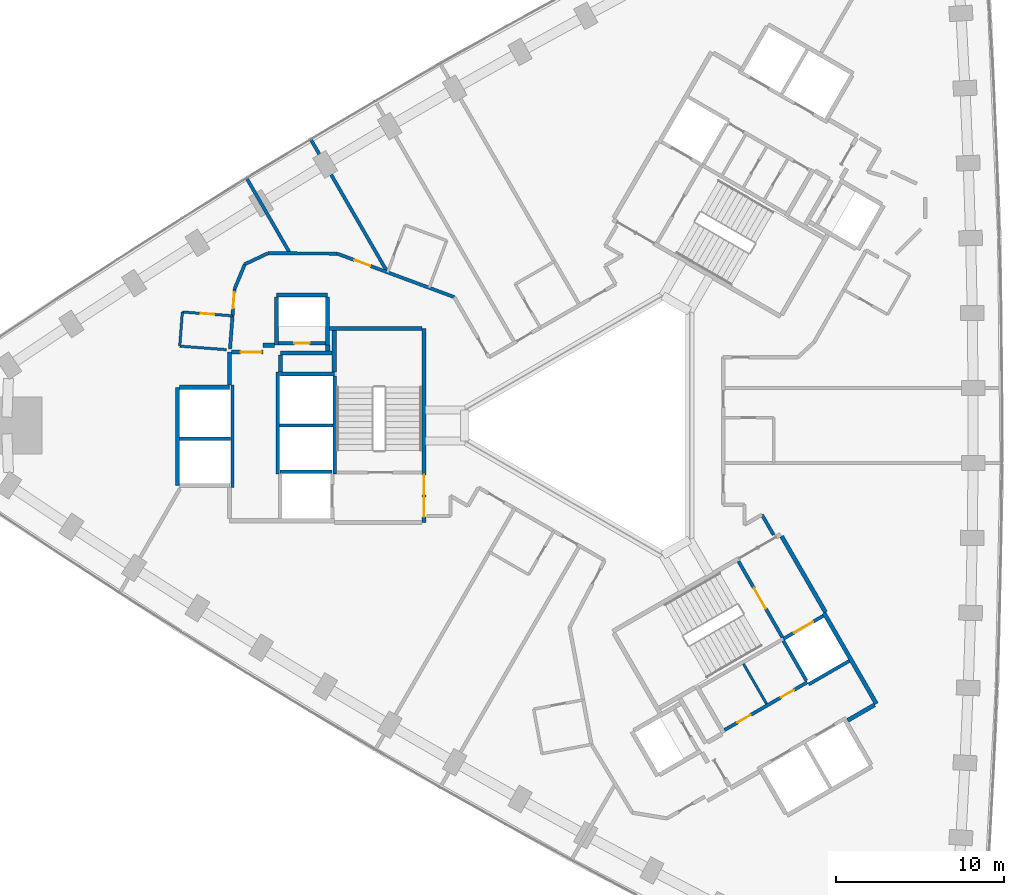
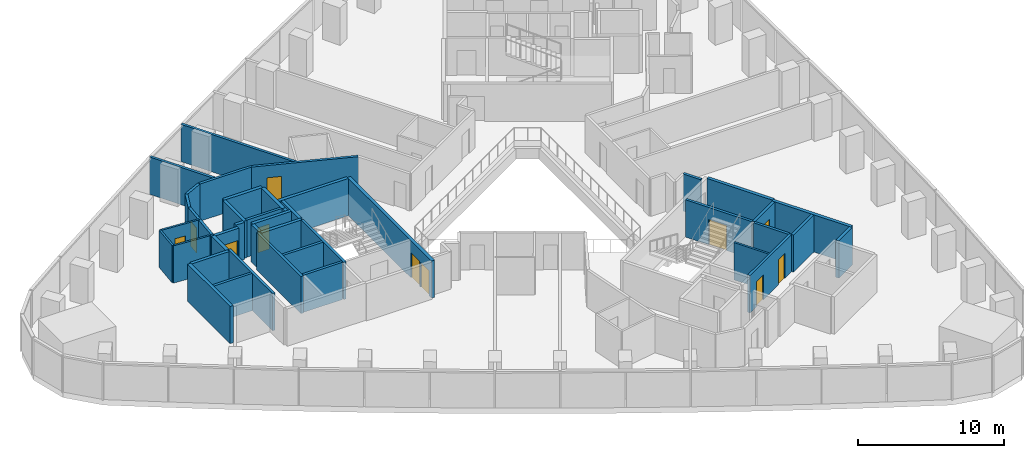
# One storey, part 9 of 13: 42 walls, 11 doors, 11 openings.
"""IFC4 building model written with IfcOpenShell, lengths in metres."""

from ifc_helpers import new_model, si_unit, direction, frame, frame_2d, origin, place, context, subcontext, project, spatial, rectangle, extrude, material, layer, layer_set, type_object, element, fill, save


model = new_model("IFC4")

# Units and contexts
model_context = context("Model", 3, precision=1e-05, world=origin(), true_north=direction((0.0, 1.0)))
body_context = subcontext(model_context, "Body", "Model", "MODEL_VIEW")
ifc_project = project(units=[si_unit("LENGTHUNIT", "METRE"), si_unit("AREAUNIT", "SQUARE_METRE"), si_unit("VOLUMEUNIT", "CUBIC_METRE"), si_unit("PLANEANGLEUNIT", "RADIAN"), si_unit("MASSUNIT", "GRAM", prefix="KILO")], contexts=[model_context])

# Site, building, storey
site_placement = place(None, origin())
site = spatial("IfcSite", under=ifc_project, at=site_placement, CompositionType="ELEMENT")
building_placement = place(site_placement, origin())
building = spatial("IfcBuilding", under=site, at=building_placement, Name="Tamra Quay Hotel Tower", CompositionType="ELEMENT")
storey_placement = place(building_placement, frame((0.0, 0.0, 38.60009765625)))
storey = spatial("IfcBuildingStorey", under=building, at=storey_placement, Name="L07", CompositionType="ELEMENT", Elevation=38.60009765625)

# Walls
ifc_material_1 = material(Name="Concrete M70", Category="concrete")
ifc_layer_1 = layer(ifc_material_1, 0.199951171875)
ifc_layer_set_1 = layer_set([ifc_layer_1], Name="Concrete M70 core wall 200")
wall_type_1 = type_object("IfcWallType", Name="Concrete M70 core wall 200", PredefinedType="SHEAR", material=ifc_layer_set_1)
wall_1_placement = place(storey_placement, frame((-16.162109375, 2.95068359375, 0.0), z_axis=(0.0, 0.0, 1.0), x_axis=(0.0, -1.0, 0.0)))
element("IfcWall", 1, at=wall_1_placement, inside=storey, type_object=wall_type_1, Name="CW2", PredefinedType="SHEAR", context=body_context, shape_type="SweptSolid", body=[
    extrude(rectangle(XDim=5.850830078125, YDim=0.199951171875, at=frame_2d((2.92529296875, 0.0))), origin(), (0.0, 0.0, 1.0), 3.125),
])
for number, where, z_axis, x_axis, name in (
    (2, (-19.5625, -2.900146484375, 0.0), (0.0, 0.0, 1.0), (0.0, 1.0, 0.0), "CW2"),
    (3, (-22.26220703125, 2.400146484375, 0.0), (0.0, 0.0, 1.0), (0.0, -1.0, 0.0), "CW2"),
):
    element("IfcWall", number, at=place(storey_placement, frame(where, z_axis=z_axis, x_axis=x_axis)), inside=storey, type_object=wall_type_1, Name=name, PredefinedType="SHEAR", context=body_context, shape_type="SweptSolid", body=[
        extrude(rectangle(XDim=6.100341796875, YDim=0.199951171875, at=frame_2d((3.05029296875, 0.0))), origin(), (0.0, 0.0, 1.0), 3.125),
    ])
wall_2_placement = place(storey_placement, frame((-16.26318359375, 0.0, 0.0), z_axis=(0.0, 0.0, 1.0), x_axis=(-1.0, 0.0, 0.0)))
element("IfcWall", 4, at=wall_2_placement, inside=storey, type_object=wall_type_1, Name="CW2", PredefinedType="SHEAR", context=body_context, shape_type="SweptSolid", body=[
    extrude(rectangle(XDim=3.1982421875, YDim=0.199951171875, at=frame_2d((1.59912109375, 0.0))), origin(), (0.0, 0.0, 1.0), 3.125),
])
wall_3_placement = place(storey_placement, frame((-22.36328125, -0.800048828125, 0.0), z_axis=(0.0, 0.0, 1.0), x_axis=(-1.0, 0.0, 0.0)))
element("IfcWall", 5, at=wall_3_placement, inside=storey, type_object=wall_type_1, Name="CW2", PredefinedType="SHEAR", context=body_context, shape_type="SweptSolid", body=[
    extrude(rectangle(XDim=3.048095703125, YDim=0.199951171875, at=frame_2d((1.52392578125, 0.0))), origin(), (0.0, 0.0, 1.0), 3.125),
])

# Wall, opening, door
wall_4_placement = place(storey_placement, frame((-19.51123046875, 4.91015625, 0.0), z_axis=(0.0, 0.0, 1.0), x_axis=(1.0, 0.0, 0.0)))
wall_4 = element("IfcWall", 6, at=wall_4_placement, inside=storey, type_object=wall_type_1, Name="CW2", PredefinedType="SHEAR", context=body_context, shape_type="SweptSolid", body=[
    extrude(rectangle(XDim=2.7978515625, YDim=0.199951171875, at=frame_2d((1.39892578125, 0.0))), origin(), (0.0, 0.0, 1.0), 3.125),
])
opening_1_placement = place(wall_4_placement, frame((0.948974609375, 0.0, 0.0)))
opening_1 = element("IfcOpeningElement", 7, at=opening_1_placement, cuts=wall_4, Name="Opening D1", PredefinedType="OPENING", context=body_context, shape_type="SweptSolid", body=[
    extrude(rectangle(XDim=0.89990234375, YDim=2.10009765625, at=frame_2d((0.449951171875, 1.050048828125))), frame((0.0, 0.10986328125, 0.0), z_axis=(0.0, -1.0, 0.0), x_axis=(1.0, 0.0, 0.0)), (0.0, 0.0, 1.0), 0.219970703125),
])
ifc_material_2 = material(Name="Core door D1 900x2100 LH")
door_type_1 = type_object("IfcDoorType", Name="Core door D1 900x2100 LH", OperationType="NOTDEFINED", PredefinedType="DOOR", material=ifc_material_2)
door_1_placement = place(opening_1_placement, origin())
door_1 = element("IfcDoor", 8, at=door_1_placement, inside=storey, type_object=door_type_1, Name="D1", OperationType="SINGLE_SWING_LEFT", OverallHeight=2.10009765625, OverallWidth=0.89990234375, PredefinedType="DOOR", context=body_context, shape_type="SweptSolid", body=[
    extrude(rectangle(XDim=0.89990234375, YDim=2.10009765625, at=frame_2d((0.449951171875, 1.050048828125))), frame((0.0, 0.02490234375, 0.0), z_axis=(0.0, -1.0, 0.0), x_axis=(1.0, 0.0, 0.0)), (0.0, 0.0, 1.0), 0.050048828125),
])
fill(opening_1, door_1)

# Wall
wall_5_placement = place(storey_placement, frame((-19.412353515625, -2.75, 0.0), z_axis=(0.0, 0.0, 1.0), x_axis=(1.0, 0.0, 0.0)))
element("IfcWall", 9, at=wall_5_placement, inside=storey, type_object=wall_type_1, Name="CW2", PredefinedType="SHEAR", context=body_context, shape_type="SweptSolid", body=[
    extrude(rectangle(XDim=3.10009765625, YDim=0.199951171875, at=frame_2d((1.550048828125, 0.0))), origin(), (0.0, 0.0, 1.0), 3.125),
])

# Wall, openings, doors
wall_6_placement = place(storey_placement, frame((7.0771484375, -18.156005859375, 0.0), z_axis=(0.0, 0.0, 1.0), x_axis=(0.866038630372, 0.499977090179, 0.0)))
wall_6 = element("IfcWall", 10, at=wall_6_placement, inside=storey, type_object=wall_type_1, Name="CW2", PredefinedType="SHEAR", context=body_context, shape_type="SweptSolid", body=[
    extrude(rectangle(XDim=5.698974609375, YDim=0.199951171875, at=frame_2d((2.849609375, 0.0))), origin(), (0.0, 0.0, 1.0), 3.125),
])
opening_2_placement = place(wall_6_placement, frame((0.89892578125, 0.0, 0.0)))
opening_2 = element("IfcOpeningElement", 11, at=opening_2_placement, cuts=wall_6, Name="Opening D2", PredefinedType="OPENING", context=body_context, shape_type="SweptSolid", body=[
    extrude(rectangle(XDim=0.89990234375, YDim=2.10009765625, at=frame_2d((0.449951171875, 1.050048828125))), frame((0.0, 0.10986328125, 0.0), z_axis=(0.0, -1.0, 0.0), x_axis=(1.0, 0.0, 0.0)), (0.0, 0.0, 1.0), 0.219970703125),
])
opening_3_placement = place(wall_6_placement, frame((3.8740234375, 0.0, 0.0)))
opening_3 = element("IfcOpeningElement", 12, at=opening_3_placement, cuts=wall_6, Name="Opening D2", PredefinedType="OPENING", context=body_context, shape_type="SweptSolid", body=[
    extrude(rectangle(XDim=0.89990234375, YDim=2.10009765625, at=frame_2d((0.449951171875, 1.050048828125))), frame((0.0, 0.10986328125, 0.0), z_axis=(0.0, -1.0, 0.0), x_axis=(1.0, 0.0, 0.0)), (0.0, 0.0, 1.0), 0.219970703125),
])
ifc_material_3 = material(Name="Core door D2 900x2100 LH")
door_type_2 = type_object("IfcDoorType", Name="Core door D2 900x2100 LH", OperationType="NOTDEFINED", PredefinedType="DOOR", material=ifc_material_3)
door_2_placement = place(opening_3_placement, origin())
door_2 = element("IfcDoor", 13, at=door_2_placement, inside=storey, type_object=door_type_2, Name="D2", OperationType="SINGLE_SWING_LEFT", OverallHeight=2.10009765625, OverallWidth=0.89990234375, PredefinedType="DOOR", context=body_context, shape_type="SweptSolid", body=[
    extrude(rectangle(XDim=0.89990234375, YDim=2.10009765625, at=frame_2d((0.449951171875, 1.050048828125))), frame((0.0, 0.02490234375, 0.0), z_axis=(0.0, -1.0, 0.0), x_axis=(1.0, 0.0, 0.0)), (0.0, 0.0, 1.0), 0.050048828125),
])
fill(opening_3, door_2)
ifc_material_4 = material(Name="Core door D2 900x2100 RH")
door_type_3 = type_object("IfcDoorType", Name="Core door D2 900x2100 RH", OperationType="NOTDEFINED", PredefinedType="DOOR", material=ifc_material_4)
door_3_placement = place(opening_2_placement, origin())
door_3 = element("IfcDoor", 14, at=door_3_placement, inside=storey, type_object=door_type_3, Name="D2", OperationType="SINGLE_SWING_RIGHT", OverallHeight=2.10009765625, OverallWidth=0.89990234375, PredefinedType="DOOR", context=body_context, shape_type="SweptSolid", body=[
    extrude(rectangle(XDim=0.89990234375, YDim=2.10009765625, at=frame_2d((0.449951171875, 1.050048828125))), frame((0.0, 0.02490234375, 0.0), z_axis=(0.0, -1.0, 0.0), x_axis=(1.0, 0.0, 0.0)), (0.0, 0.0, 1.0), 0.050048828125),
])
fill(opening_2, door_3)

# Wall, opening, door
wall_7_placement = place(storey_placement, frame((7.906494140625, -8.094482421875, 0.0), z_axis=(0.0, 0.0, 1.0), x_axis=(0.500024287448, -0.866011380966, 0.0)))
wall_7 = element("IfcWall", 15, at=wall_7_placement, inside=storey, type_object=wall_type_1, Name="CW2", PredefinedType="SHEAR", context=body_context, shape_type="SweptSolid", body=[
    extrude(rectangle(XDim=5.251220703125, YDim=0.199951171875, at=frame_2d((2.62548828125, 0.0))), origin(), (0.0, 0.0, 1.0), 3.125),
])
opening_4_placement = place(wall_7_placement, frame((1.84912109375, 0.0, 0.0)))
opening_4 = element("IfcOpeningElement", 16, at=opening_4_placement, cuts=wall_7, Name="Opening FD2", PredefinedType="OPENING", context=body_context, shape_type="SweptSolid", body=[
    extrude(rectangle(XDim=1.39990234375, YDim=2.10009765625, at=frame_2d((0.699951171875, 1.050048828125))), frame((0.0, 0.10986328125, 0.0), z_axis=(0.0, -1.0, 0.0), x_axis=(1.0, 0.0, 0.0)), (0.0, 0.0, 1.0), 0.219970703125),
])
ifc_material_5 = material(Name="Core door FD2 1400x2100 LH")
door_type_4 = type_object("IfcDoorType", Name="Core door FD2 1400x2100 LH", OperationType="NOTDEFINED", PredefinedType="DOOR", material=ifc_material_5)
door_4_placement = place(opening_4_placement, origin())
door_4 = element("IfcDoor", 17, at=door_4_placement, inside=storey, type_object=door_type_4, Name="FD2", OperationType="SINGLE_SWING_LEFT", OverallHeight=2.10009765625, OverallWidth=1.39990234375, PredefinedType="DOOR", context=body_context, shape_type="SweptSolid", body=[
    extrude(rectangle(XDim=1.39990234375, YDim=2.10009765625, at=frame_2d((0.699951171875, 1.050048828125))), frame((0.0, 0.02490234375, 0.0), z_axis=(0.0, -1.0, 0.0), x_axis=(1.0, 0.0, 0.0)), (0.0, 0.0, 1.0), 0.050048828125),
])
fill(opening_4, door_4)

# Wall
wall_8_placement = place(storey_placement, frame((11.962646484375, -15.219970703125, 0.0), z_axis=(0.0, 0.0, 1.0), x_axis=(-0.500034990121, 0.866005201286, 0.0)))
element("IfcWall", 18, at=wall_8_placement, inside=storey, type_object=wall_type_1, Name="CW2", PredefinedType="SHEAR", context=body_context, shape_type="SweptSolid", body=[
    extrude(rectangle(XDim=2.749755859375, YDim=0.199951171875, at=frame_2d((1.375, 0.0))), origin(), (0.0, 0.0, 1.0), 3.125),
])

# Wall, opening, door
wall_9_placement = place(storey_placement, frame((10.587158203125, -12.72314453125, 0.0), z_axis=(0.0, 0.0, 1.0), x_axis=(0.866037306777, 0.499979382845, 0.0)))
wall_9 = element("IfcWall", 19, at=wall_9_placement, inside=storey, type_object=wall_type_1, Name="CW2", PredefinedType="SHEAR", context=body_context, shape_type="SweptSolid", body=[
    extrude(rectangle(XDim=2.74169921875, YDim=0.199951171875, at=frame_2d((1.370849609375, 0.0))), origin(), (0.0, 0.0, 1.0), 3.125),
])
opening_5_placement = place(wall_9_placement, frame((0.742919921875, 0.0, 0.0)))
opening_5 = element("IfcOpeningElement", 20, at=opening_5_placement, cuts=wall_9, Name="Opening LD", PredefinedType="OPENING", context=body_context, shape_type="SweptSolid", body=[
    extrude(rectangle(XDim=1.300048828125, YDim=2.10009765625, at=frame_2d((0.64990234375, 1.050048828125))), frame((0.0, 0.10986328125, 0.0), z_axis=(0.0, -1.0, 0.0), x_axis=(1.0, 0.0, 0.0)), (0.0, 0.0, 1.0), 0.219970703125),
])
ifc_material_6 = material(Name="Landing door LD 1300 sliding to left")
door_type_5 = type_object("IfcDoorType", Name="Landing door LD 1300 sliding to left", OperationType="NOTDEFINED", PredefinedType="DOOR", material=ifc_material_6)
door_5_placement = place(opening_5_placement, origin())
door_5 = element("IfcDoor", 21, at=door_5_placement, inside=storey, type_object=door_type_5, Name="LD", OperationType="SLIDING_TO_LEFT", OverallHeight=2.10009765625, OverallWidth=1.300048828125, PredefinedType="DOOR", context=body_context, shape_type="SweptSolid", body=[
    extrude(rectangle(XDim=1.300048828125, YDim=2.10009765625, at=frame_2d((0.64990234375, 1.050048828125))), frame((0.0, 0.02490234375, 0.0), z_axis=(0.0, -1.0, 0.0), x_axis=(1.0, 0.0, 0.0)), (0.0, 0.0, 1.0), 0.050048828125),
])
fill(opening_5, door_5)

# Wall
wall_10_placement = place(storey_placement, frame((14.51171875, -14.037109375, 0.0), z_axis=(0.0, 0.0, 1.0), x_axis=(-0.866044696403, -0.499966582715, 0.0)))
element("IfcWall", 22, at=wall_10_placement, inside=storey, type_object=wall_type_1, Name="CW2", PredefinedType="SHEAR", context=body_context, shape_type="SweptSolid", body=[
    extrude(rectangle(XDim=2.799072265625, YDim=0.199951171875, at=frame_2d((1.3994140625, 0.0))), origin(), (0.0, 0.0, 1.0), 3.125),
])

# Wall, openings, doors
ifc_layer_2 = layer(ifc_material_1, 0.25)
ifc_layer_set_2 = layer_set([ifc_layer_2], Name="Concrete M70 core wall 250")
wall_type_2 = type_object("IfcWallType", Name="Concrete M70 core wall 250", PredefinedType="SHEAR", material=ifc_layer_set_2)
wall_11_placement = place(storey_placement, frame((-10.83740234375, 5.77490234375, 0.0), z_axis=(0.0, 0.0, 1.0), x_axis=(0.0, -1.0, 0.0)))
wall_11 = element("IfcWall", 23, at=wall_11_placement, inside=storey, type_object=wall_type_2, Name="CW1", PredefinedType="SHEAR", context=body_context, shape_type="SweptSolid", body=[
    extrude(rectangle(XDim=11.5498046875, YDim=0.25, at=frame_2d((5.77490234375, 0.0))), origin(), (0.0, 0.0, 1.0), 3.125),
])
opening_6_placement = place(wall_11_placement, frame((10.02490234375, 0.0, 0.0)))
opening_6 = element("IfcOpeningElement", 24, at=opening_6_placement, cuts=wall_11, Name="Opening FD1", PredefinedType="OPENING", context=body_context, shape_type="SweptSolid", body=[
    extrude(rectangle(XDim=1.199951171875, YDim=2.10009765625, at=frame_2d((0.60009765625, 1.050048828125))), frame((0.0, 0.135009765625, 0.0), z_axis=(0.0, -1.0, 0.0), x_axis=(1.0, 0.0, 0.0)), (0.0, 0.0, 1.0), 0.27001953125),
])
opening_7_placement = place(wall_11_placement, frame((8.72509765625, 0.0, 0.0)))
opening_7 = element("IfcOpeningElement", 25, at=opening_7_placement, cuts=wall_11, Name="Opening FD1", PredefinedType="OPENING", context=body_context, shape_type="SweptSolid", body=[
    extrude(rectangle(XDim=1.199951171875, YDim=2.10009765625, at=frame_2d((0.60009765625, 1.050048828125))), frame((0.0, 0.135009765625, 0.0), z_axis=(0.0, -1.0, 0.0), x_axis=(1.0, 0.0, 0.0)), (0.0, 0.0, 1.0), 0.27001953125),
])
ifc_material_7 = material(Name="Core door FD1 1200x2100 LH")
door_type_6 = type_object("IfcDoorType", Name="Core door FD1 1200x2100 LH", OperationType="NOTDEFINED", PredefinedType="DOOR", material=ifc_material_7)
door_6_placement = place(opening_6_placement, origin())
door_6 = element("IfcDoor", 26, at=door_6_placement, inside=storey, type_object=door_type_6, Name="FD1", OperationType="SINGLE_SWING_LEFT", OverallHeight=2.10009765625, OverallWidth=1.199951171875, PredefinedType="DOOR", context=body_context, shape_type="SweptSolid", body=[
    extrude(rectangle(XDim=1.199951171875, YDim=2.10009765625, at=frame_2d((0.60009765625, 1.050048828125))), frame((0.0, 0.02490234375, 0.0), z_axis=(0.0, -1.0, 0.0), x_axis=(1.0, 0.0, 0.0)), (0.0, 0.0, 1.0), 0.050048828125),
])
fill(opening_6, door_6)
ifc_material_8 = material(Name="Core door FD1 1200x2100 RH")
door_type_7 = type_object("IfcDoorType", Name="Core door FD1 1200x2100 RH", OperationType="NOTDEFINED", PredefinedType="DOOR", material=ifc_material_8)
door_7_placement = place(opening_7_placement, origin())
door_7 = element("IfcDoor", 27, at=door_7_placement, inside=storey, type_object=door_type_7, Name="FD1", OperationType="SINGLE_SWING_RIGHT", OverallHeight=2.10009765625, OverallWidth=1.199951171875, PredefinedType="DOOR", context=body_context, shape_type="SweptSolid", body=[
    extrude(rectangle(XDim=1.199951171875, YDim=2.10009765625, at=frame_2d((0.60009765625, 1.050048828125))), frame((0.0, 0.02490234375, 0.0), z_axis=(0.0, -1.0, 0.0), x_axis=(1.0, 0.0, 0.0)), (0.0, 0.0, 1.0), 0.050048828125),
])
fill(opening_7, door_7)

# Walls
wall_12_placement = place(storey_placement, frame((-25.537353515625, -3.574951171875, 0.0), z_axis=(0.0, 0.0, 1.0), x_axis=(0.0, 1.0, 0.0)))
element("IfcWall", 28, at=wall_12_placement, inside=storey, type_object=wall_type_2, Name="CW1", PredefinedType="SHEAR", context=body_context, shape_type="SweptSolid", body=[
    extrude(rectangle(XDim=5.849853515625, YDim=0.25, at=frame_2d((2.9248046875, 0.0))), origin(), (0.0, 0.0, 1.0), 3.125),
])
wall_13_placement = place(storey_placement, frame((-16.47216796875, 5.77490234375, 0.0), z_axis=(0.0, 0.0, 1.0), x_axis=(1.0, 0.0, 0.0)))
element("IfcWall", 29, at=wall_13_placement, inside=storey, type_object=wall_type_2, Name="CW1", PredefinedType="SHEAR", context=body_context, shape_type="SweptSolid", body=[
    extrude(rectangle(XDim=5.509521484375, YDim=0.25, at=frame_2d((2.7548828125, 0.0))), origin(), (0.0, 0.0, 1.0), 3.125),
])
wall_14_placement = place(storey_placement, frame((-19.38720703125, 3.074951171875, 0.0), z_axis=(0.0, 0.0, 1.0), x_axis=(1.0, 0.0, 0.0)))
element("IfcWall", 30, at=wall_14_placement, inside=storey, type_object=wall_type_2, Name="CW1", PredefinedType="SHEAR", context=body_context, shape_type="SweptSolid", body=[
    extrude(rectangle(XDim=3.199951171875, YDim=0.25, at=frame_2d((1.60009765625, 0.0))), origin(), (0.0, 0.0, 1.0), 3.125),
])
wall_15_placement = place(storey_placement, frame((-25.411865234375, 2.27490234375, 0.0), z_axis=(0.0, 0.0, 1.0), x_axis=(1.0, 0.0, 0.0)))
element("IfcWall", 31, at=wall_15_placement, inside=storey, type_object=wall_type_2, Name="CW1", PredefinedType="SHEAR", context=body_context, shape_type="SweptSolid", body=[
    extrude(rectangle(XDim=2.974609375, YDim=0.25, at=frame_2d((1.4873046875, 0.0))), origin(), (0.0, 0.0, 1.0), 3.125),
])
wall_16_placement = place(storey_placement, frame((-19.63720703125, 7.77490234375, 0.0), z_axis=(0.0, 0.0, 1.0), x_axis=(1.0, 0.0, 0.0)))
element("IfcWall", 32, at=wall_16_placement, inside=storey, type_object=wall_type_2, Name="CW1", PredefinedType="SHEAR", context=body_context, shape_type="SweptSolid", body=[
    extrude(rectangle(XDim=3.0498046875, YDim=0.25, at=frame_2d((1.52490234375, 0.0))), origin(), (0.0, 0.0, 1.0), 3.125),
])
for number, where, z_axis, x_axis, name in (
    (33, (-16.58740234375, 7.649658203125, 0.0), (0.0, 0.0, 1.0), (0.0, -1.0, 0.0), "CW1"),
    (34, (-19.63720703125, 4.784912109375, 0.0), (0.0, 0.0, 1.0), (0.0, 1.0, 0.0), "CW1"),
):
    element("IfcWall", number, at=place(storey_placement, frame(where, z_axis=z_axis, x_axis=x_axis)), inside=storey, type_object=wall_type_2, Name=name, PredefinedType="SHEAR", context=body_context, shape_type="SweptSolid", body=[
        extrude(rectangle(XDim=2.86474609375, YDim=0.25, at=frame_2d((1.432373046875, 0.0))), origin(), (0.0, 0.0, 1.0), 3.125),
    ])
wall_17_placement = place(storey_placement, frame((-16.30224609375, 4.31494140625, 0.0), z_axis=(0.0, 0.0, 1.0), x_axis=(-1.0, 0.0, 0.0)))
element("IfcWall", 35, at=wall_17_placement, inside=storey, type_object=wall_type_2, Name="CW1", PredefinedType="SHEAR", context=body_context, shape_type="SweptSolid", body=[
    extrude(rectangle(XDim=3.0849609375, YDim=0.25, at=frame_2d((1.54248046875, 0.0))), origin(), (0.0, 0.0, 1.0), 3.125),
])
wall_18_placement = place(storey_placement, frame((-16.187255859375, 3.200439453125, 0.0), z_axis=(0.0, 0.0, 1.0), x_axis=(0.0, 1.0, 0.0)))
element("IfcWall", 36, at=wall_18_placement, inside=storey, type_object=wall_type_2, Name="CW1", PredefinedType="SHEAR", context=body_context, shape_type="SweptSolid", body=[
    extrude(rectangle(XDim=2.44921875, YDim=0.25, at=frame_2d((1.224609375, 0.0))), origin(), (0.0, 0.0, 1.0), 3.125),
])
wall_19_placement = place(storey_placement, frame((-22.437255859375, 2.400390625, 0.0), z_axis=(0.0, 0.0, 1.0), x_axis=(0.0, 1.0, 0.0)))
element("IfcWall", 37, at=wall_19_placement, inside=storey, type_object=wall_type_2, Name="CW1", PredefinedType="SHEAR", context=body_context, shape_type="SweptSolid", body=[
    extrude(rectangle(XDim=1.974609375, YDim=0.25, at=frame_2d((0.9873046875, 0.0))), origin(), (0.0, 0.0, 1.0), 3.125),
])

# Wall, opening, door
wall_20_placement = place(storey_placement, frame((-22.311767578125, 4.375, 0.0), z_axis=(0.0, 0.0, 1.0), x_axis=(1.0, 0.0, 0.0)))
wall_20 = element("IfcWall", 38, at=wall_20_placement, inside=storey, type_object=wall_type_2, Name="CW1", PredefinedType="SHEAR", context=body_context, shape_type="SweptSolid", body=[
    extrude(rectangle(XDim=1.864501953125, YDim=0.25, at=frame_2d((0.93212890625, 0.0))), origin(), (0.0, 0.0, 1.0), 3.125),
])
opening_8_placement = place(wall_20_placement, frame((0.53466796875, 0.0, 0.0)))
opening_8 = element("IfcOpeningElement", 39, at=opening_8_placement, cuts=wall_20, Name="Opening FD3", PredefinedType="OPENING", context=body_context, shape_type="SweptSolid", body=[
    extrude(rectangle(XDim=1.25, YDim=2.10009765625, at=frame_2d((0.625, 1.050048828125))), frame((0.0, 0.135009765625, 0.0), z_axis=(0.0, -1.0, 0.0), x_axis=(1.0, 0.0, 0.0)), (0.0, 0.0, 1.0), 0.27001953125),
])
ifc_material_9 = material(Name="Core door FD3 1250x2100 LH")
door_type_8 = type_object("IfcDoorType", Name="Core door FD3 1250x2100 LH", OperationType="NOTDEFINED", PredefinedType="DOOR", material=ifc_material_9)
door_8_placement = place(opening_8_placement, origin())
door_8 = element("IfcDoor", 40, at=door_8_placement, inside=storey, type_object=door_type_8, Name="FD3", OperationType="SINGLE_SWING_LEFT", OverallHeight=2.10009765625, OverallWidth=1.25, PredefinedType="DOOR", context=body_context, shape_type="SweptSolid", body=[
    extrude(rectangle(XDim=1.25, YDim=2.10009765625, at=frame_2d((0.625, 1.050048828125))), frame((0.0, 0.02490234375, 0.0), z_axis=(0.0, -1.0, 0.0), x_axis=(1.0, 0.0, 0.0)), (0.0, 0.0, 1.0), 0.050048828125),
])
fill(opening_8, door_8)

# Walls
wall_21_placement = place(storey_placement, frame((-19.38720703125, 4.189697265625, 0.0), z_axis=(0.0, 0.0, 1.0), x_axis=(0.0, -1.0, 0.0)))
element("IfcWall", 41, at=wall_21_placement, inside=storey, type_object=wall_type_2, Name="CW1", PredefinedType="SHEAR", context=body_context, shape_type="SweptSolid", body=[
    extrude(rectangle(XDim=0.9892578125, YDim=0.25, at=frame_2d((0.49462890625, 0.0))), origin(), (0.0, 0.0, 1.0), 3.125),
])
wall_22_placement = place(storey_placement, frame((-20.447265625, 4.784912109375, 0.0), z_axis=(0.0, 0.0, 1.0), x_axis=(1.0, 0.0, 0.0)))
element("IfcWall", 42, at=wall_22_placement, inside=storey, type_object=wall_type_2, Name="CW1", PredefinedType="SHEAR", context=body_context, shape_type="SweptSolid", body=[
    extrude(rectangle(XDim=0.6845703125, YDim=0.25, at=frame_2d((0.34228515625, 0.0))), origin(), (0.0, 0.0, 1.0), 3.125),
])
wall_23_placement = place(storey_placement, frame((-16.577392578125, 4.784912109375, 0.0), z_axis=(0.0, 0.0, 1.0), x_axis=(0.0, -1.0, 0.0)))
element("IfcWall", 43, at=wall_23_placement, inside=storey, type_object=wall_type_2, Name="CW1", PredefinedType="SHEAR", context=body_context, shape_type="SweptSolid", body=[
    extrude(rectangle(XDim=0.344482421875, YDim=0.25, at=frame_2d((0.17236328125, 0.0))), origin(), (0.0, 0.0, 1.0), 3.125),
])
wall_24_placement = place(storey_placement, frame((13.00830078125, -11.18115234375, 0.0), z_axis=(0.0, 0.0, 1.0), x_axis=(0.500004234368, -0.866022959057, 0.0)))
element("IfcWall", 44, at=wall_24_placement, inside=storey, type_object=wall_type_2, Name="CW1", PredefinedType="SHEAR", context=body_context, shape_type="SweptSolid", body=[
    extrude(rectangle(XDim=6.25, YDim=0.25, at=frame_2d((3.125, 0.0))), origin(), (0.0, 0.0, 1.0), 3.125),
])
wall_25_placement = place(storey_placement, frame((10.482666015625, -6.6064453125, 0.0), z_axis=(0.0, 0.0, 1.0), x_axis=(0.49999885962, -0.866026062182, 0.0)))
element("IfcWall", 45, at=wall_25_placement, inside=storey, type_object=wall_type_2, Name="CW1", PredefinedType="SHEAR", context=body_context, shape_type="SweptSolid", body=[
    extrude(rectangle(XDim=5.224609375, YDim=0.25, at=frame_2d((2.6123046875, 0.0))), origin(), (0.0, 0.0, 1.0), 3.125),
])
wall_26_placement = place(storey_placement, frame((16.024658203125, -16.656494140625, 0.0), z_axis=(0.0, 0.0, 1.0), x_axis=(-0.866016279763, -0.500015802937, 0.0)))
element("IfcWall", 46, at=wall_26_placement, inside=storey, type_object=wall_type_2, Name="CW1", PredefinedType="SHEAR", context=body_context, shape_type="SweptSolid", body=[
    extrude(rectangle(XDim=1.84912109375, YDim=0.25, at=frame_2d((0.924560546875, 0.0))), origin(), (0.0, 0.0, 1.0), 3.125),
])
ifc_material_10 = material(Name="Blockwork", Category="masonry")
ifc_layer_3 = layer(ifc_material_10, 0.14990234375)
ifc_layer_set_3 = layer_set([ifc_layer_3], Name="Core partition block 150")
wall_type_3 = type_object("IfcWallType", Name="Core partition block 150", PredefinedType="PARTITIONING", material=ifc_layer_set_3)
wall_27_placement = place(storey_placement, frame((8.20654296875, -14.214111328125, 0.0), z_axis=(0.0, 0.0, 1.0), x_axis=(0.50002746344, -0.86600954718, 0.0)))
element("IfcWall", 47, at=wall_27_placement, inside=storey, type_object=wall_type_3, Name="CP1", PredefinedType="PARTITIONING", context=body_context, shape_type="SweptSolid", body=[
    extrude(rectangle(XDim=2.748291015625, YDim=0.14990234375, at=frame_2d((1.3740234375, 0.0))), origin(), (0.0, 0.0, 1.0), 3.125),
])

# Wall, opening, door
ifc_material_11 = material(Name="Partition corridor wall")
ifc_layer_4 = layer(ifc_material_11, 0.199951171875)
ifc_layer_set_4 = layer_set([ifc_layer_4], Name="Partition corridor wall")
wall_type_4 = type_object("IfcWallType", Name="Partition corridor wall", PredefinedType="PARTITIONING", material=ifc_layer_set_4)
wall_28_placement = place(storey_placement, frame((-22.406494140625, 4.56005859375, 0.0), z_axis=(0.0, 0.0, 1.0), x_axis=(0.075830817711, 0.997120698354, 0.0)))
wall_28 = element("IfcWall", 48, at=wall_28_placement, inside=storey, type_object=wall_type_4, Name="W-C", PredefinedType="PARTITIONING", context=body_context, shape_type="SweptSolid", body=[
    extrude(rectangle(XDim=3.580078125, YDim=0.199951171875, at=frame_2d((1.7900390625, 0.0))), origin(), (0.0, 0.0, 1.0), 3.125),
])
opening_9_placement = place(wall_28_placement, frame((2.430419921875, 0.0, 0.0)))
opening_9 = element("IfcOpeningElement", 49, at=opening_9_placement, cuts=wall_28, Name="Opening L07-D012", PredefinedType="OPENING", context=body_context, shape_type="SweptSolid", body=[
    extrude(rectangle(XDim=0.949951171875, YDim=2.10009765625, at=frame_2d((0.47509765625, 1.050048828125))), frame((0.0, 0.10986328125, 0.0), z_axis=(0.0, -1.0, 0.0), x_axis=(1.0, 0.0, 0.0)), (0.0, 0.0, 1.0), 0.219970703125),
])
ifc_material_12 = material(Name="Door guest room 950x2100")
door_type_9 = type_object("IfcDoorType", Name="Door guest room 950x2100", OperationType="NOTDEFINED", PredefinedType="DOOR", material=ifc_material_12)
door_9_placement = place(opening_9_placement, origin())
door_9 = element("IfcDoor", 50, at=door_9_placement, inside=storey, type_object=door_type_9, Name="L07-D012", OperationType="SINGLE_SWING_LEFT", OverallHeight=2.10009765625, OverallWidth=0.949951171875, PredefinedType="DOOR", context=body_context, shape_type="SweptSolid", body=[
    extrude(rectangle(XDim=0.949951171875, YDim=2.10009765625, at=frame_2d((0.47509765625, 1.050048828125))), frame((0.0, 0.02490234375, 0.0), z_axis=(0.0, -1.0, 0.0), x_axis=(1.0, 0.0, 0.0)), (0.0, 0.0, 1.0), 0.050048828125),
])
fill(opening_9, door_9)

# Walls
wall_29_placement = place(storey_placement, frame((-22.135009765625, 8.134033203125, 0.0), z_axis=(0.0, 0.0, 1.0), x_axis=(0.383208453534, 0.923661886807, 0.0)))
element("IfcWall", 51, at=wall_29_placement, inside=storey, type_object=wall_type_4, Name="W-C", PredefinedType="PARTITIONING", context=body_context, shape_type="SweptSolid", body=[
    extrude(rectangle(XDim=1.602294921875, YDim=0.199951171875, at=frame_2d((0.80126953125, 0.0))), origin(), (0.0, 0.0, 1.0), 3.125),
])
wall_30_placement = place(storey_placement, frame((-21.52099609375, 9.614013671875, 0.0), z_axis=(0.0, 0.0, 1.0), x_axis=(0.904083527367, 0.427355795028, 0.0)))
element("IfcWall", 52, at=wall_30_placement, inside=storey, type_object=wall_type_4, Name="W-C", PredefinedType="PARTITIONING", context=body_context, shape_type="SweptSolid", body=[
    extrude(rectangle(XDim=1.52294921875, YDim=0.199951171875, at=frame_2d((0.761474609375, 0.0))), origin(), (0.0, 0.0, 1.0), 3.125),
])
wall_31_placement = place(storey_placement, frame((-20.14306640625, 10.26611328125, 0.0), z_axis=(0.0, 0.0, 1.0), x_axis=(0.999989297417, -0.004626559416, 0.0)))
element("IfcWall", 53, at=wall_31_placement, inside=storey, type_object=wall_type_4, Name="W-C", PredefinedType="PARTITIONING", context=body_context, shape_type="SweptSolid", body=[
    extrude(rectangle(XDim=4.115966796875, YDim=0.199951171875, at=frame_2d((2.05810546875, 0.0))), origin(), (0.0, 0.0, 1.0), 3.125),
])

# Wall, opening, door
wall_32_placement = place(storey_placement, frame((-16.025146484375, 10.248046875, 0.0), z_axis=(0.0, 0.0, 1.0), x_axis=(0.937475629829, -0.348050920809, 0.0)))
wall_32 = element("IfcWall", 54, at=wall_32_placement, inside=storey, type_object=wall_type_4, Name="W-C", PredefinedType="PARTITIONING", context=body_context, shape_type="SweptSolid", body=[
    extrude(rectangle(XDim=7.45849609375, YDim=0.199951171875, at=frame_2d((3.729248046875, 0.0))), origin(), (0.0, 0.0, 1.0), 3.125),
])
opening_10_placement = place(wall_32_placement, frame((1.11279296875, 0.0, 0.0)))
opening_10 = element("IfcOpeningElement", 55, at=opening_10_placement, cuts=wall_32, Name="Opening L07-D011", PredefinedType="OPENING", context=body_context, shape_type="SweptSolid", body=[
    extrude(rectangle(XDim=1.0, YDim=2.10009765625, at=frame_2d((0.5, 1.050048828125))), frame((0.0, 0.10986328125, 0.0), z_axis=(0.0, -1.0, 0.0), x_axis=(1.0, 0.0, 0.0)), (0.0, 0.0, 1.0), 0.219970703125),
])
ifc_material_13 = material(Name="Door guest room 1000x2100")
door_type_10 = type_object("IfcDoorType", Name="Door guest room 1000x2100", OperationType="NOTDEFINED", PredefinedType="DOOR", material=ifc_material_13)
door_10_placement = place(opening_10_placement, origin())
door_10 = element("IfcDoor", 56, at=door_10_placement, inside=storey, type_object=door_type_10, Name="L07-D011", OperationType="SINGLE_SWING_LEFT", OverallHeight=2.10009765625, OverallWidth=1.0, PredefinedType="DOOR", context=body_context, shape_type="SweptSolid", body=[
    extrude(rectangle(XDim=1.0, YDim=2.10009765625, at=frame_2d((0.5, 1.050048828125))), frame((0.0, 0.02490234375, 0.0), z_axis=(0.0, -1.0, 0.0), x_axis=(1.0, 0.0, 0.0)), (0.0, 0.0, 1.0), 0.050048828125),
])
fill(opening_10, door_10)

# Walls
wall_33_placement = place(storey_placement, frame((9.306884765625, -5.322021484375, 0.0), z_axis=(0.0, 0.0, 1.0), x_axis=(0.500295157811, -0.865854927266, 0.0)))
element("IfcWall", 57, at=wall_33_placement, inside=storey, type_object=wall_type_4, Name="W-C", PredefinedType="PARTITIONING", context=body_context, shape_type="SweptSolid", body=[
    extrude(rectangle(XDim=1.389892578125, YDim=0.199951171875, at=frame_2d((0.69482421875, 0.0))), origin(), (0.0, 0.0, 1.0), 3.125),
])
ifc_material_14 = material(Name="Partition en-suite wall")
ifc_layer_5 = layer(ifc_material_14, 0.14990234375)
ifc_layer_set_5 = layer_set([ifc_layer_5], Name="Partition en-suite wall")
wall_type_5 = type_object("IfcWallType", Name="Partition en-suite wall", PredefinedType="PARTITIONING", material=ifc_layer_set_5)
wall_34_placement = place(storey_placement, frame((-25.403076171875, 4.73193359375, 0.0), z_axis=(0.0, 0.0, 1.0), x_axis=(0.076109886026, 0.997099435989, 0.0)))
element("IfcWall", 58, at=wall_34_placement, inside=storey, type_object=wall_type_5, Name="W-E", PredefinedType="PARTITIONING", context=body_context, shape_type="SweptSolid", body=[
    extrude(rectangle(XDim=2.036865234375, YDim=0.14990234375, at=frame_2d((1.0185546875, 0.0))), origin(), (0.0, 0.0, 1.0), 3.125),
])
wall_35_placement = place(storey_placement, frame((-25.39990234375, 4.72998046875, 0.0), z_axis=(0.0, 0.0, 1.0), x_axis=(0.997102235974, -0.076073195115, 0.0)))
element("IfcWall", 59, at=wall_35_placement, inside=storey, type_object=wall_type_5, Name="W-E", PredefinedType="PARTITIONING", context=body_context, shape_type="SweptSolid", body=[
    extrude(rectangle(XDim=2.78564453125, YDim=0.14990234375, at=frame_2d((1.392822265625, 0.0))), origin(), (0.0, 0.0, 1.0), 3.125),
])

# Wall, opening, door
wall_36_placement = place(storey_placement, frame((-25.24609375, 6.76611328125, 0.0), z_axis=(0.0, 0.0, 1.0), x_axis=(0.997102673612, -0.076067458724, 0.0)))
wall_36 = element("IfcWall", 60, at=wall_36_placement, inside=storey, type_object=wall_type_5, Name="W-E", PredefinedType="PARTITIONING", context=body_context, shape_type="SweptSolid", body=[
    extrude(rectangle(XDim=2.997802734375, YDim=0.14990234375, at=frame_2d((1.4990234375, 0.0))), origin(), (0.0, 0.0, 1.0), 3.125),
])
opening_11_placement = place(wall_36_placement, frame((1.097900390625, 0.0, 0.0)))
opening_11 = element("IfcOpeningElement", 61, at=opening_11_placement, cuts=wall_36, Name="Opening L07-D013", PredefinedType="OPENING", context=body_context, shape_type="SweptSolid", body=[
    extrude(rectangle(XDim=0.800048828125, YDim=2.10009765625, at=frame_2d((0.39990234375, 1.050048828125))), frame((0.0, 0.0849609375, 0.0), z_axis=(0.0, -1.0, 0.0), x_axis=(1.0, 0.0, 0.0)), (0.0, 0.0, 1.0), 0.169921875),
])
ifc_material_15 = material(Name="Door en-suite 800x2100")
door_type_11 = type_object("IfcDoorType", Name="Door en-suite 800x2100", OperationType="NOTDEFINED", PredefinedType="DOOR", material=ifc_material_15)
door_11_placement = place(opening_11_placement, frame((0.800048828125, 0.0, 0.0), z_axis=(0.0, 0.0, 1.0), x_axis=(-1.0, 0.0, 0.0)))
door_11 = element("IfcDoor", 62, at=door_11_placement, inside=storey, type_object=door_type_11, Name="L07-D013", OperationType="SINGLE_SWING_LEFT", OverallHeight=2.10009765625, OverallWidth=0.800048828125, PredefinedType="DOOR", context=body_context, shape_type="SweptSolid", body=[
    extrude(rectangle(XDim=0.800048828125, YDim=2.10009765625, at=frame_2d((0.39990234375, 1.050048828125))), frame((0.0, 0.02490234375, 0.0), z_axis=(0.0, -1.0, 0.0), x_axis=(1.0, 0.0, 0.0)), (0.0, 0.0, 1.0), 0.050048828125),
])
fill(opening_11, door_11)

# Walls
ifc_material_16 = material(Name="Partition party wall")
ifc_layer_6 = layer(ifc_material_16, 0.199951171875)
ifc_layer_set_6 = layer_set([ifc_layer_6], Name="Partition party wall")
wall_type_6 = type_object("IfcWallType", Name="Partition party wall", PredefinedType="PARTITIONING", material=ifc_layer_set_6)
wall_37_placement = place(storey_placement, frame((-21.41162109375, 14.737060546875, 0.0), z_axis=(0.0, 0.0, 1.0), x_axis=(0.49998408811, -0.866034590324, 0.0)))
element("IfcWall", 63, at=wall_37_placement, inside=storey, type_object=wall_type_6, Name="W-P", PredefinedType="PARTITIONING", context=body_context, shape_type="SweptSolid", body=[
    extrude(rectangle(XDim=5.169677734375, YDim=0.199951171875, at=frame_2d((2.5849609375, 0.0))), origin(), (0.0, 0.0, 1.0), 3.125),
])
wall_38_placement = place(storey_placement, frame((-17.589599609375, 17.05517578125, 0.0), z_axis=(0.0, 0.0, 1.0), x_axis=(0.500034932695, -0.866005234444, 0.0)))
element("IfcWall", 64, at=wall_38_placement, inside=storey, type_object=wall_type_6, Name="W-P", PredefinedType="PARTITIONING", context=body_context, shape_type="SweptSolid", body=[
    extrude(rectangle(XDim=9.152587890625, YDim=0.199951171875, at=frame_2d((4.576171875, 0.0))), origin(), (0.0, 0.0, 1.0), 3.125),
])

save(model, "model.ifc")
